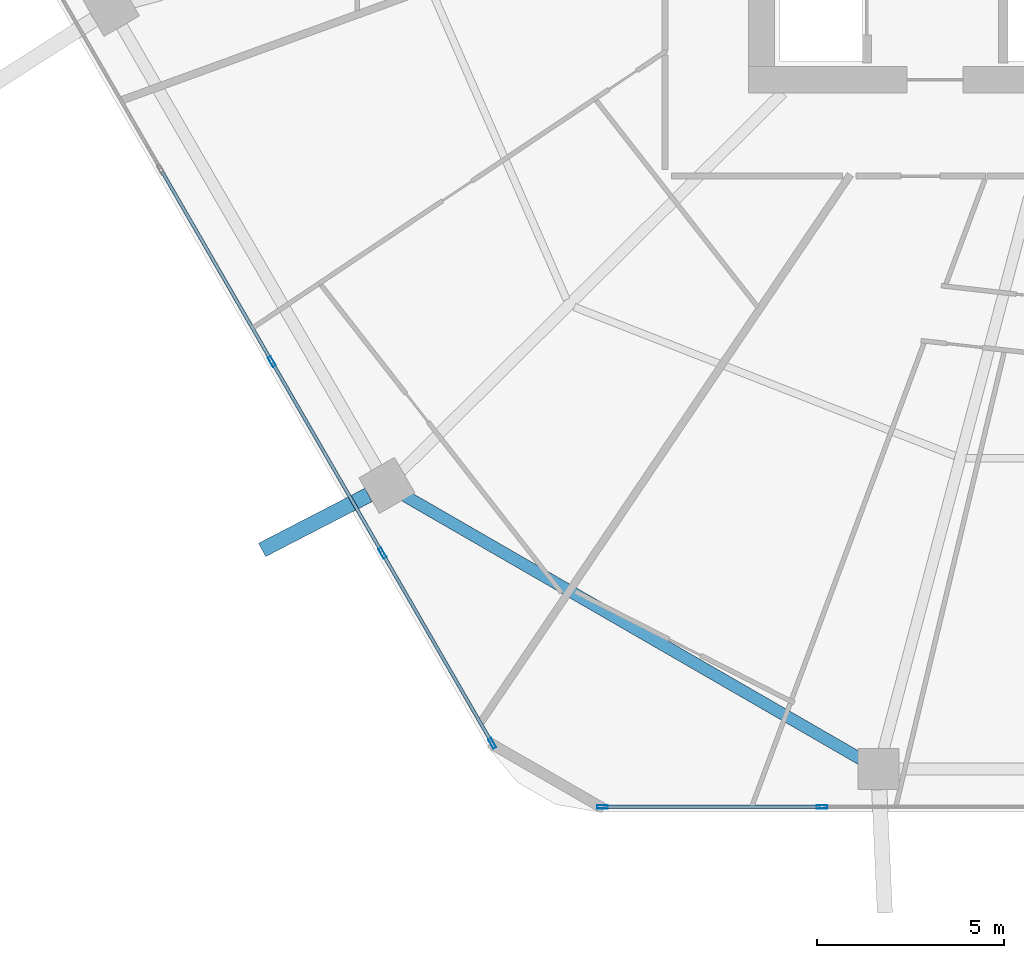
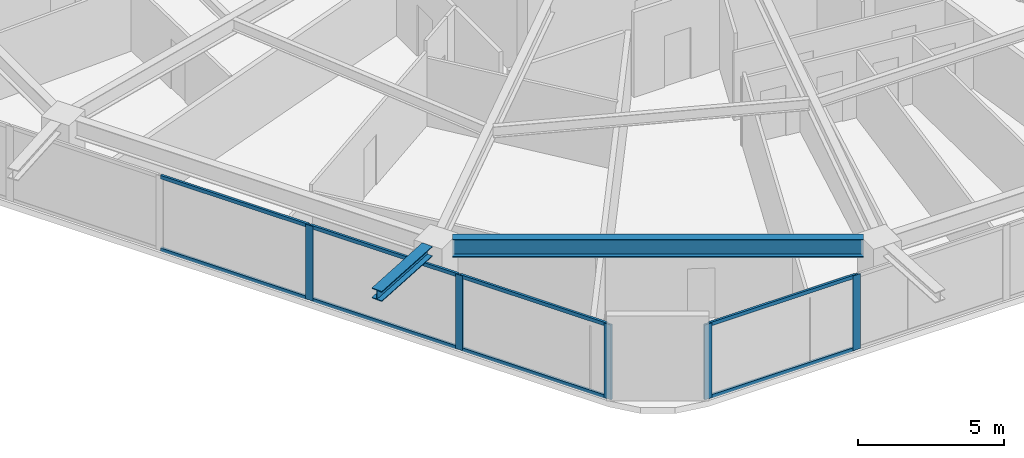
# One storey, part 2 of 33: 13 members, 2 beams, 2 elements without a shape of their own.
"""IFC4 building model written with IfcOpenShell, lengths in metres."""

from ifc_helpers import new_model, si_unit, direction, frame, origin, origin_2d, place, context, subcontext, project, spatial, hollow_rectangle, i_section, extrude, material, material_profile, profile_set, type_object, element, aggregate, save


model = new_model("IFC4")

# Units and contexts
model_context = context("Model", 3, precision=1e-05, world=origin(), true_north=direction((0.0, 1.0)))
body_context = subcontext(model_context, "Body", "Model", "MODEL_VIEW")
ifc_project = project(units=[si_unit("LENGTHUNIT", "METRE"), si_unit("AREAUNIT", "SQUARE_METRE"), si_unit("VOLUMEUNIT", "CUBIC_METRE"), si_unit("PLANEANGLEUNIT", "RADIAN"), si_unit("MASSUNIT", "GRAM", prefix="KILO")], contexts=[model_context])

# Site, building, storey
site_placement = place(None, origin())
site = spatial("IfcSite", under=ifc_project, at=site_placement, CompositionType="ELEMENT")
building_placement = place(site_placement, origin())
building = spatial("IfcBuilding", under=site, at=building_placement, Name="Zuhravey Tower", CompositionType="ELEMENT")
storey_placement = place(building_placement, frame((0.0, 0.0, 96.199951171875)))
storey = spatial("IfcBuildingStorey", under=building, at=storey_placement, Name="L23", CompositionType="ELEMENT", Elevation=96.199951171875)

# Curtain wall, members
ifc_material_1 = material(Name="Thermally broken anodised aluminium", Category="aluminium")
curtain_wall_type = type_object("IfcCurtainWallType", Name="Zone 1-2 Residential Curtain Wall CW3", PredefinedType="NOTDEFINED", material=ifc_material_1)
curtain_wall_1_placement = place(storey_placement, origin())
curtain_wall_1 = element("IfcCurtainWall", 1, at=curtain_wall_1_placement, inside=storey, type_object=curtain_wall_type, Name="L23 CW3 CW-L23-F5-1", PredefinedType="NOTDEFINED")
ifc_material_2 = material(Name="Anodised aluminium", Category="aluminium")
ifc_material_profile_1 = material_profile(ifc_material_2, hollow_rectangle(XDim=0.090087890625, YDim=0.284912109375, WallThickness=0.0048828125, at=origin_2d()), Name="ALU-RHS-90x285x5")
ifc_profile_set_1 = profile_set([ifc_material_profile_1], Name="Anodised aluminium")
member_type_1 = type_object("IfcMemberType", Name="Curtain-Wall Mullion 90x180", PredefinedType="MULLION", material=ifc_profile_set_1)
member_1_placement = place(storey_placement, frame((27.120361328125, 3.04150390625, 0.0), z_axis=(0.0, 0.0, 1.0), x_axis=(0.0, -1.0, 0.0)))
member_1 = element("IfcMember", 2, at=member_1_placement, type_object=member_type_1, Name="CW3 mullion 5", PredefinedType="MULLION", context=body_context, shape_type="SweptSolid", body=[
    extrude(hollow_rectangle(XDim=0.090087890625, YDim=0.284912109375, WallThickness=0.0048828125, at=origin_2d()), origin(), (0.0, 0.0, 1.0), 3.1220703125),
])
member_2_placement = place(storey_placement, frame((21.24560546875, 3.04150390625, 0.0), z_axis=(0.0, 0.0, 1.0), x_axis=(0.0, -1.0, 0.0)))
member_2 = element("IfcMember", 3, at=member_2_placement, type_object=member_type_1, Name="CW3 mullion 6", PredefinedType="MULLION", context=body_context, shape_type="SweptSolid", body=[
    extrude(hollow_rectangle(XDim=0.090087890625, YDim=0.284912109375, WallThickness=0.0048828125, at=origin_2d()), origin(), (0.0, 0.0, 1.0), 3.1220703125),
])

curtain_wall_2_placement = place(storey_placement, origin())
curtain_wall_2 = element("IfcCurtainWall", 4, at=curtain_wall_2_placement, inside=storey, type_object=curtain_wall_type, Name="L23 CW3 CW-L23-F4-1", PredefinedType="NOTDEFINED")
member_3_placement = place(storey_placement, frame((18.298583984375, 4.742919921875, 0.0), z_axis=(0.0, 0.0, 1.0), x_axis=(-0.86602552265, -0.499999794119, 0.0)))
member_3 = element("IfcMember", 5, at=member_3_placement, type_object=member_type_1, Name="CW3 mullion 1", PredefinedType="MULLION", context=body_context, shape_type="SweptSolid", body=[
    extrude(hollow_rectangle(XDim=0.090087890625, YDim=0.284912109375, WallThickness=0.0048828125, at=origin_2d()), origin(), (0.0, 0.0, 1.0), 3.1220703125),
])
member_4_placement = place(storey_placement, frame((15.361083984375, 9.830810546875, 0.0), z_axis=(0.0, 0.0, 1.0), x_axis=(-0.86602552265, -0.499999794119, 0.0)))
member_4 = element("IfcMember", 6, at=member_4_placement, type_object=member_type_1, Name="CW3 mullion 2", PredefinedType="MULLION", context=body_context, shape_type="SweptSolid", body=[
    extrude(hollow_rectangle(XDim=0.090087890625, YDim=0.284912109375, WallThickness=0.0048828125, at=origin_2d()), origin(), (0.0, 0.0, 1.0), 3.1220703125),
])
member_5_placement = place(storey_placement, frame((12.401123046875, 14.95751953125, 0.0), z_axis=(0.0, 0.0, 1.0), x_axis=(-0.86602552265, -0.499999794119, 0.0)))
member_5 = element("IfcMember", 7, at=member_5_placement, type_object=member_type_1, Name="CW3 mullion 3", PredefinedType="MULLION", context=body_context, shape_type="SweptSolid", body=[
    extrude(hollow_rectangle(XDim=0.090087890625, YDim=0.284912109375, WallThickness=0.0048828125, at=origin_2d()), origin(), (0.0, 0.0, 1.0), 3.1220703125),
])

# Member
ifc_material_profile_2 = material_profile(ifc_material_2, hollow_rectangle(XDim=0.090087890625, YDim=0.14990234375, WallThickness=0.0048828125, at=origin_2d()), Name="ALU-RHS-90x150x5")
ifc_profile_set_2 = profile_set([ifc_material_profile_2], Name="Anodised aluminium")
member_type_2 = type_object("IfcMemberType", Name="Curtain-Wall Transom 90x150", PredefinedType="USERDEFINED", material=ifc_profile_set_2)
member_6_placement = place(storey_placement, frame((27.0751953125, 3.04150390625, 0.045166015625), z_axis=(-1.0, 0.0, 0.0), x_axis=(0.0, -1.0, 0.0)))
member_6 = element("IfcMember", 8, at=member_6_placement, type_object=member_type_2, Name="CW3 transom 5.1", ObjectType="TRANSOM", PredefinedType="USERDEFINED", context=body_context, shape_type="SweptSolid", body=[
    extrude(hollow_rectangle(XDim=0.090087890625, YDim=0.14990234375, WallThickness=0.0048828125, at=origin_2d()), origin(), (0.0, 0.0, 1.0), 5.78466796875),
])

member_7_placement = place(storey_placement, frame((27.0751953125, 3.04150390625, 3.0771484375), z_axis=(-1.0, 0.0, 0.0), x_axis=(0.0, -1.0, 0.0)))
member_7 = element("IfcMember", 9, at=member_7_placement, type_object=member_type_2, Name="CW3 transom 5.2", ObjectType="TRANSOM", PredefinedType="USERDEFINED", context=body_context, shape_type="SweptSolid", body=[
    extrude(hollow_rectangle(XDim=0.090087890625, YDim=0.14990234375, WallThickness=0.0048828125, at=origin_2d()), origin(), (0.0, 0.0, 1.0), 5.78466796875),
])

aggregate(curtain_wall_1, [member_1, member_2, member_6, member_7])

member_8_placement = place(storey_placement, frame((18.27587890625, 4.781982421875, 0.045166015625), z_axis=(-0.499992798144, 0.866029561738, 0.0), x_axis=(-0.866029561738, -0.499992798144, 0.0)))
member_8 = element("IfcMember", 10, at=member_8_placement, type_object=member_type_2, Name="CW3 transom 1.1", ObjectType="TRANSOM", PredefinedType="USERDEFINED", context=body_context, shape_type="SweptSolid", body=[
    extrude(hollow_rectangle(XDim=0.090087890625, YDim=0.14990234375, WallThickness=0.0048828125, at=origin_2d()), origin(), (0.0, 0.0, 1.0), 5.78466796875),
])

member_9_placement = place(storey_placement, frame((18.27587890625, 4.781982421875, 3.0771484375), z_axis=(-0.499992798144, 0.866029561738, 0.0), x_axis=(-0.866029561738, -0.499992798144, 0.0)))
member_9 = element("IfcMember", 11, at=member_9_placement, type_object=member_type_2, Name="CW3 transom 1.2", ObjectType="TRANSOM", PredefinedType="USERDEFINED", context=body_context, shape_type="SweptSolid", body=[
    extrude(hollow_rectangle(XDim=0.090087890625, YDim=0.14990234375, WallThickness=0.0048828125, at=origin_2d()), origin(), (0.0, 0.0, 1.0), 5.78466796875),
])

member_10_placement = place(storey_placement, frame((15.338623046875, 9.86962890625, 0.045166015625), z_axis=(-0.500012451049, 0.866018215049, 0.0), x_axis=(-0.866018215049, -0.500012451049, 0.0)))
member_10 = element("IfcMember", 12, at=member_10_placement, type_object=member_type_2, Name="CW3 transom 2.1", ObjectType="TRANSOM", PredefinedType="USERDEFINED", context=body_context, shape_type="SweptSolid", body=[
    extrude(hollow_rectangle(XDim=0.090087890625, YDim=0.14990234375, WallThickness=0.0048828125, at=origin_2d()), origin(), (0.0, 0.0, 1.0), 5.829833984375),
])

member_11_placement = place(storey_placement, frame((15.338623046875, 9.86962890625, 3.0771484375), z_axis=(-0.500012451049, 0.866018215049, 0.0), x_axis=(-0.866018215049, -0.500012451049, 0.0)))
member_11 = element("IfcMember", 13, at=member_11_placement, type_object=member_type_2, Name="CW3 transom 2.2", ObjectType="TRANSOM", PredefinedType="USERDEFINED", context=body_context, shape_type="SweptSolid", body=[
    extrude(hollow_rectangle(XDim=0.090087890625, YDim=0.14990234375, WallThickness=0.0048828125, at=origin_2d()), origin(), (0.0, 0.0, 1.0), 5.829833984375),
])

member_12_placement = place(storey_placement, frame((12.378662109375, 14.996337890625, 0.045166015625), z_axis=(-0.499981042766, 0.866036348472, 0.0), x_axis=(-0.866036348472, -0.499981042766, 0.0)))
member_12 = element("IfcMember", 14, at=member_12_placement, type_object=member_type_2, Name="CW3 transom 3.1", ObjectType="TRANSOM", PredefinedType="USERDEFINED", context=body_context, shape_type="SweptSolid", body=[
    extrude(hollow_rectangle(XDim=0.090087890625, YDim=0.14990234375, WallThickness=0.0048828125, at=origin_2d()), origin(), (0.0, 0.0, 1.0), 5.829833984375),
])

member_13_placement = place(storey_placement, frame((12.378662109375, 14.996337890625, 3.0771484375), z_axis=(-0.499981042766, 0.866036348472, 0.0), x_axis=(-0.866036348472, -0.499981042766, 0.0)))
member_13 = element("IfcMember", 15, at=member_13_placement, type_object=member_type_2, Name="CW3 transom 3.2", ObjectType="TRANSOM", PredefinedType="USERDEFINED", context=body_context, shape_type="SweptSolid", body=[
    extrude(hollow_rectangle(XDim=0.090087890625, YDim=0.14990234375, WallThickness=0.0048828125, at=origin_2d()), origin(), (0.0, 0.0, 1.0), 5.829833984375),
])

aggregate(curtain_wall_2, [member_3, member_4, member_5, member_8, member_9, member_10, member_11, member_12, member_13])

# Beams
ifc_material_3 = material(Name="Steel SM460", Category="steel")
ifc_material_profile_3 = material_profile(ifc_material_3, i_section(OverallWidth=0.406982421875, OverallDepth=0.427978515625, WebThickness=0.02001953125, FlangeThickness=0.034912109375, at=origin_2d()), Name="H-428x407x20x35")
ifc_profile_set_3 = profile_set([ifc_material_profile_3], Name="Steel SM460")
beam_type_1 = type_object("IfcBeamType", Name="Exoskeleton Node Tie Beam H428x407", PredefinedType="BEAM", material=ifc_profile_set_3)
beam_1_placement = place(storey_placement, frame((14.98828125, 11.388427734375, 3.3359375), z_axis=(-0.888437298009, -0.458998003816, 0.0), x_axis=(0.458998003816, -0.888437298009, 0.0)))
element("IfcBeam", 16, at=beam_1_placement, inside=storey, type_object=beam_type_1, Name="L23 Exoskeleton Node Tie NT1-08", PredefinedType="BEAM", context=body_context, shape_type="SweptSolid", body=[
    extrude(i_section(OverallWidth=0.406982421875, OverallDepth=0.427978515625, WebThickness=0.02001953125, FlangeThickness=0.034912109375, at=origin_2d()), origin(), (0.0, 0.0, 1.0), 3.20458984375),
])
ifc_material_4 = material(Name="Steel SM355", Category="steel")
ifc_material_profile_4 = material_profile(ifc_material_4, i_section(OverallWidth=0.320068359375, OverallDepth=0.75, WebThickness=0.013916015625, FlangeThickness=0.02490234375, at=origin_2d()), Name="H-750x320x14x25")
ifc_profile_set_4 = profile_set([ifc_material_profile_4], Name="Steel SM355")
beam_type_2 = type_object("IfcBeamType", Name="Perimeter Ring Beam H750x320", PredefinedType="BEAM", material=ifc_profile_set_4)
beam_2_placement = place(storey_placement, frame((15.9599609375, 11.36669921875, 3.175048828125), z_axis=(0.866017786538, -0.500013193225, 0.0), x_axis=(0.500013193225, 0.866017786538, 0.0)))
element("IfcBeam", 17, at=beam_2_placement, inside=storey, type_object=beam_type_2, Name="L23 PB1 BM-L23-PB-08", PredefinedType="BEAM", context=body_context, shape_type="SweptSolid", body=[
    extrude(i_section(OverallWidth=0.320068359375, OverallDepth=0.75, WebThickness=0.013916015625, FlangeThickness=0.02490234375, at=origin_2d()), origin(), (0.0, 0.0, 1.0), 14.0771484375),
])

save(model, "model.ifc")
